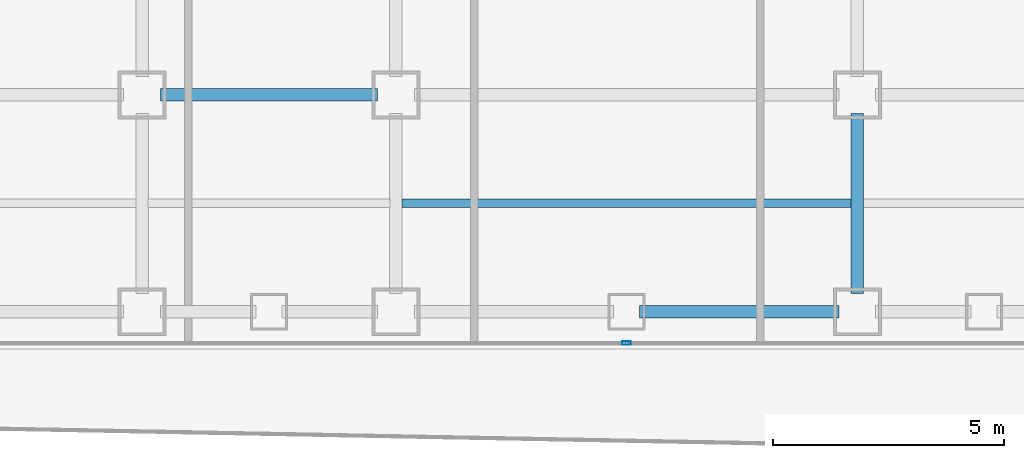
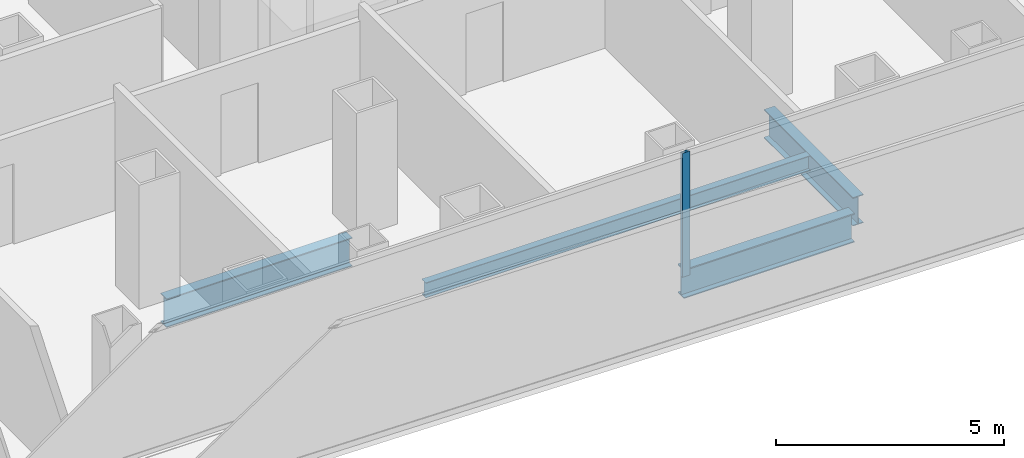
# One storey, part 4 of 22: 4 beams, 1 member, 1 element without a shape of its own.
"""IFC4 building model written with IfcOpenShell, lengths in metres."""

from ifc_helpers import new_model, si_unit, direction, frame, origin, origin_2d, place, context, subcontext, project, spatial, hollow_rectangle, i_section, extrude, source, transform, mapped, material, layer, layer_set, material_profile, profile_set, type_object, element, aggregate, save


model = new_model("IFC4")

# Units and contexts
model_context = context("Model", 3, precision=1e-05, world=origin(), true_north=direction((0.0, 1.0)))
body_context = subcontext(model_context, "Body", "Model", "MODEL_VIEW")
ifc_project = project(units=[si_unit("LENGTHUNIT", "METRE"), si_unit("AREAUNIT", "SQUARE_METRE"), si_unit("VOLUMEUNIT", "CUBIC_METRE"), si_unit("PLANEANGLEUNIT", "RADIAN"), si_unit("MASSUNIT", "GRAM", prefix="KILO")], contexts=[model_context])

# Site, building, storey
site_placement = place(None, origin())
site = spatial("IfcSite", under=ifc_project, at=site_placement, CompositionType="ELEMENT")
building_placement = place(site_placement, origin())
building = spatial("IfcBuilding", under=site, at=building_placement, Name="Kolveth Station Tower", CompositionType="ELEMENT")
storey_placement = place(building_placement, frame((0.0, 0.0, 69.300048828125)))
storey = spatial("IfcBuildingStorey", under=building, at=storey_placement, Name="L18", CompositionType="ELEMENT", Elevation=69.300048828125)

# Beams
ifc_material_1 = material(Name="Steel S355", Category="steel")
ifc_material_profile_1 = material_profile(ifc_material_1, i_section(OverallWidth=0.26904296875, OverallDepth=0.77490234375, WebThickness=0.01708984375, FlangeThickness=0.0283203125, at=origin_2d()), Name="W760x220")
ifc_profile_set_1 = profile_set([ifc_material_profile_1], Name="Steel S355")
beam_type_1 = type_object("IfcBeamType", Name="Beam_SP1", PredefinedType="SPANDREL", material=ifc_profile_set_1)
shared_shape_1 = source(origin(), body_context, "Body", "SweptSolid", [
    extrude(i_section(OverallWidth=0.26904296875, OverallDepth=0.77490234375, WebThickness=0.01708984375, FlangeThickness=0.0283203125, at=origin_2d()), origin(), (0.0, 0.0, 1.0), 4.320068359375),
])
beam_1_placement = place(storey_placement, frame((23.780029296875, 0.800048828125, -0.66748046875), z_axis=(1.0, 0.0, 0.0), x_axis=(0.0, 1.0, 0.0)))
element("IfcBeam", 1, at=beam_1_placement, inside=storey, type_object=beam_type_1, Name="L18 Perimeter Spandrel BM-L18-PS-6", PredefinedType="SPANDREL", context=body_context, shape_type="MappedRepresentation", body=[
    mapped(shared_shape_1, transform((0.0, 0.0, 0.0), x_axis=(1.0, 0.0, 0.0), y_axis=(0.0, 1.0, 0.0), z_axis=(0.0, 0.0, 1.0), scale=1.0)),
])
ifc_material_profile_2 = material_profile(ifc_material_1, i_section(OverallWidth=0.26708984375, OverallDepth=0.76611328125, WebThickness=0.014892578125, FlangeThickness=0.023681640625, at=origin_2d()), Name="W760x185")
ifc_profile_set_2 = profile_set([ifc_material_profile_2], Name="Steel S355")
beam_type_2 = type_object("IfcBeamType", Name="Beam_B3", PredefinedType="BEAM", material=ifc_profile_set_2)
shared_shape_2 = source(origin(), body_context, "Body", "SweptSolid", [
    extrude(i_section(OverallWidth=0.26708984375, OverallDepth=0.76611328125, WebThickness=0.014892578125, FlangeThickness=0.023681640625, at=origin_2d()), origin(), (0.0, 0.0, 1.0), 4.7001953125),
])
beam_2_placement = place(storey_placement, frame((13.39990234375, 5.5, -0.6630859375), z_axis=(1.0, 0.0, 0.0), x_axis=(0.0, 1.0, 0.0)))
element("IfcBeam", 2, at=beam_2_placement, inside=storey, type_object=beam_type_2, Name="L18 Primary Girder BM-L18-GY55-3", PredefinedType="BEAM", context=body_context, shape_type="MappedRepresentation", body=[
    mapped(shared_shape_2, transform((0.0, 0.0, 0.0), x_axis=(1.0, 0.0, 0.0), y_axis=(0.0, 1.0, 0.0), z_axis=(0.0, 0.0, 1.0), scale=1.0)),
])
shared_shape_3 = source(origin(), body_context, "Body", "SweptSolid", [
    extrude(i_section(OverallWidth=0.26708984375, OverallDepth=0.76611328125, WebThickness=0.014892578125, FlangeThickness=0.023681640625, at=origin_2d()), origin(), (0.0, 0.0, 1.0), 3.900146484375),
])
beam_3_placement = place(storey_placement, frame((28.5, 1.199951171875, -0.6630859375), z_axis=(0.0, 1.0, 0.0), x_axis=(-1.0, 0.0, 0.0)))
element("IfcBeam", 3, at=beam_3_placement, inside=storey, type_object=beam_type_2, Name="L18 Primary Girder BM-L18-GX285-1", PredefinedType="BEAM", context=body_context, shape_type="MappedRepresentation", body=[
    mapped(shared_shape_3, transform((0.0, 0.0, 0.0), x_axis=(1.0, 0.0, 0.0), y_axis=(0.0, 1.0, 0.0), z_axis=(0.0, 0.0, 1.0), scale=1.0)),
])
ifc_material_profile_3 = material_profile(ifc_material_1, i_section(OverallWidth=0.177978515625, OverallDepth=0.406982421875, WebThickness=0.0078125, FlangeThickness=0.0126953125, at=origin_2d()), Name="W410x60")
ifc_profile_set_3 = profile_set([ifc_material_profile_3], Name="Steel S355")
beam_type_3 = type_object("IfcBeamType", Name="Beam_J1", PredefinedType="JOIST", material=ifc_profile_set_3)
shared_shape_4 = source(origin(), body_context, "Body", "SweptSolid", [
    extrude(i_section(OverallWidth=0.177978515625, OverallDepth=0.406982421875, WebThickness=0.0078125, FlangeThickness=0.0126953125, at=origin_2d()), origin(), (0.0, 0.0, 1.0), 9.73681640625),
])
beam_4_placement = place(storey_placement, frame((18.631591796875, 3.14990234375, -0.483642578125), z_axis=(1.0, 0.0, 0.0), x_axis=(0.0, 1.0, 0.0)))
element("IfcBeam", 4, at=beam_4_placement, inside=storey, type_object=beam_type_3, Name="L18 Secondary Joist JST-L18-4-1", PredefinedType="JOIST", context=body_context, shape_type="MappedRepresentation", body=[
    mapped(shared_shape_4, transform((0.0, 0.0, 0.0), x_axis=(1.0, 0.0, 0.0), y_axis=(0.0, 1.0, 0.0), z_axis=(0.0, 0.0, 1.0), scale=1.0)),
])

# Curtain wall, member
ifc_material_2 = material(Name="Aluminium 6063-T6 and low-E dark glass", Category="aluminium")
ifc_layer = layer(ifc_material_2, 0.179931640625)
ifc_layer_set = layer_set([ifc_layer], Name="Aluminium 6063-T6 and low-E dark glass")
curtain_wall_type = type_object("IfcCurtainWallType", Name="CurtainWall_CW-Z1", PredefinedType="NOTDEFINED", material=ifc_layer_set)
curtain_wall_placement = place(storey_placement, origin())
curtain_wall = element("IfcCurtainWall", 5, at=curtain_wall_placement, inside=storey, type_object=curtain_wall_type, Name="L18 Inner Thermal Curtain Wall 12", PredefinedType="NOTDEFINED")
ifc_material_3 = material(Name="Black anodized aluminium 6063-T6", Category="aluminium")
ifc_material_profile_4 = material_profile(ifc_material_3, hollow_rectangle(XDim=0.074951171875, YDim=0.18994140625, WallThickness=0.0048828125, at=origin_2d()), Name="ALU-75x190x5")
ifc_profile_set_4 = profile_set([ifc_material_profile_4], Name="Black anodized aluminium 6063-T6")
member_type = type_object("IfcMemberType", Name="Mullion_ML1", PredefinedType="MULLION", material=ifc_profile_set_4)
shared_shape_5 = source(origin(), body_context, "Body", "SweptSolid", [
    extrude(hollow_rectangle(XDim=0.074951171875, YDim=0.18994140625, WallThickness=0.0048828125, at=origin_2d()), origin(), (0.0, 0.0, 1.0), 3.320068359375),
])
member_placement = place(storey_placement, frame((23.5, 0.1201171875, 0.0), z_axis=(0.0, 0.0, 1.0), x_axis=(0.0, 1.0, 0.0)))
member = element("IfcMember", 6, at=member_placement, type_object=member_type, Name="CW-Z1 mullion 2", PredefinedType="MULLION", context=body_context, shape_type="MappedRepresentation", body=[
    mapped(shared_shape_5, transform((0.0, 0.0, 0.0), x_axis=(1.0, 0.0, 0.0), y_axis=(0.0, 1.0, 0.0), z_axis=(0.0, 0.0, 1.0), scale=1.0)),
])
aggregate(curtain_wall, [member])

save(model, "model.ifc")
